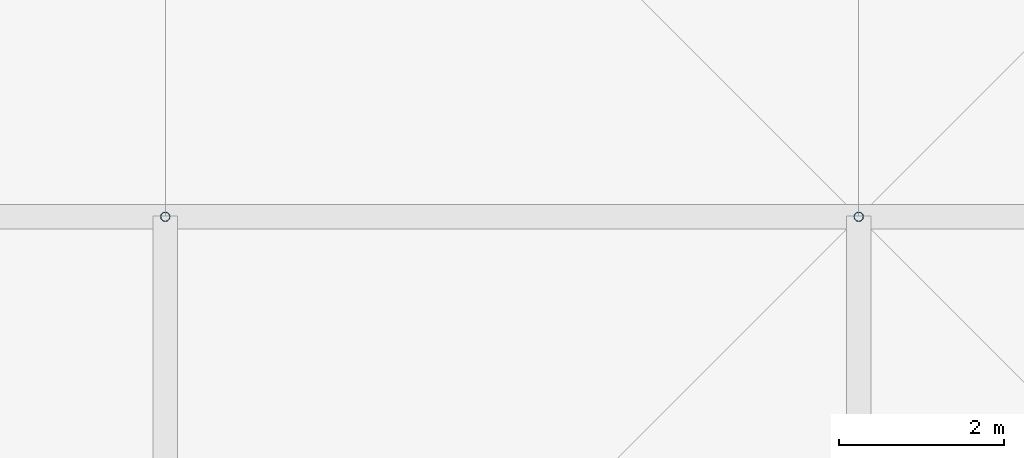
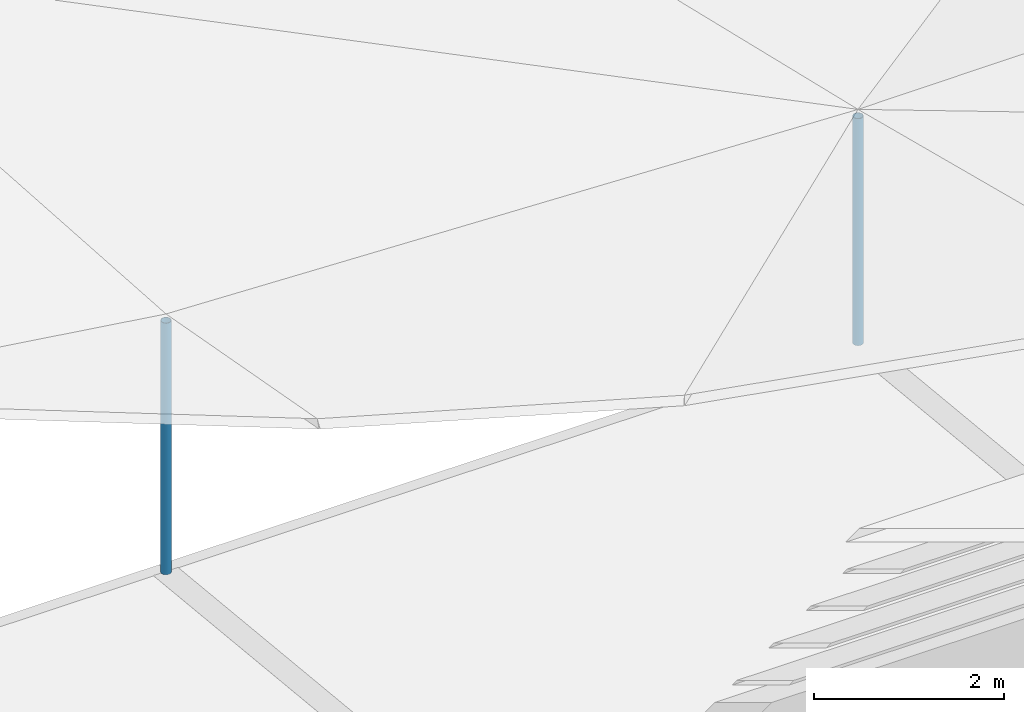
# One storey, part 34 of 46: 2 discrete accessories.
"""IFC4 building model written with IfcOpenShell, lengths in metres."""

from ifc_helpers import new_model, si_unit, direction, frame, origin, origin_2d, place, context, subcontext, project, spatial, hollow_circle, extrude, material, material_profile, profile_set, type_object, element, save


model = new_model("IFC4")

# Units and contexts
model_context = context("Model", 3, precision=1e-05, world=origin(), true_north=direction((0.0, 1.0)))
body_context = subcontext(model_context, "Body", "Model", "MODEL_VIEW")
ifc_project = project(units=[si_unit("LENGTHUNIT", "METRE"), si_unit("AREAUNIT", "SQUARE_METRE"), si_unit("VOLUMEUNIT", "CUBIC_METRE"), si_unit("PLANEANGLEUNIT", "RADIAN"), si_unit("MASSUNIT", "GRAM", prefix="KILO")], contexts=[model_context])

# Site, building, storey
site_placement = place(None, origin())
site = spatial("IfcSite", under=ifc_project, at=site_placement, CompositionType="ELEMENT")
building_placement = place(site_placement, origin())
building = spatial("IfcBuilding", under=site, at=building_placement, Name="Rain Tree Exposition and Congress Centre", CompositionType="ELEMENT")
storey_placement = place(building_placement, frame((0.0, 0.0, 27.0)))
storey = spatial("IfcBuildingStorey", under=building, at=storey_placement, Name="ROOF VAULT CREST", CompositionType="ELEMENT", Elevation=27.0)

# Discrete accessories
ifc_material = material(Name="Steel S355J2H", Category="steel")
ifc_material_profile = material_profile(ifc_material, hollow_circle(Radius=0.05712890625, WallThickness=0.00439453125, at=origin_2d()), Name="CHS 114x4.5")
ifc_profile_set = profile_set([ifc_material_profile], Name="Steel S355J2H")
discrete_accessory_type = type_object("IfcDiscreteAccessoryType", Name="Roof skin post CHS 114x4.5", PredefinedType="BRACKET", material=ifc_profile_set)
discrete_accessory_1_placement = place(storey_placement, frame((201.60009765625, 184.800048828125, 0.551025390625), z_axis=(0.0, 0.0, 1.0), x_axis=(1.0, 0.0, 0.0)))
element("IfcDiscreteAccessory", 1, at=discrete_accessory_1_placement, inside=storey, type_object=discrete_accessory_type, Name="Roof skin post B138", PredefinedType="BRACKET", context=body_context, shape_type="SweptSolid", body=[
    extrude(hollow_circle(Radius=0.05712890625, WallThickness=0.00439453125, at=origin_2d()), origin(), (0.0, 0.0, 1.0), 3.2294921875),
])
discrete_accessory_2_placement = place(storey_placement, frame((210.0, 184.800048828125, 0.551025390625), z_axis=(0.0, 0.0, 1.0), x_axis=(1.0, 0.0, 0.0)))
element("IfcDiscreteAccessory", 2, at=discrete_accessory_2_placement, inside=storey, type_object=discrete_accessory_type, Name="Roof skin post B139", PredefinedType="BRACKET", context=body_context, shape_type="SweptSolid", body=[
    extrude(hollow_circle(Radius=0.05712890625, WallThickness=0.00439453125, at=origin_2d()), origin(), (0.0, 0.0, 1.0), 2.9140625),
])

save(model, "model.ifc")
